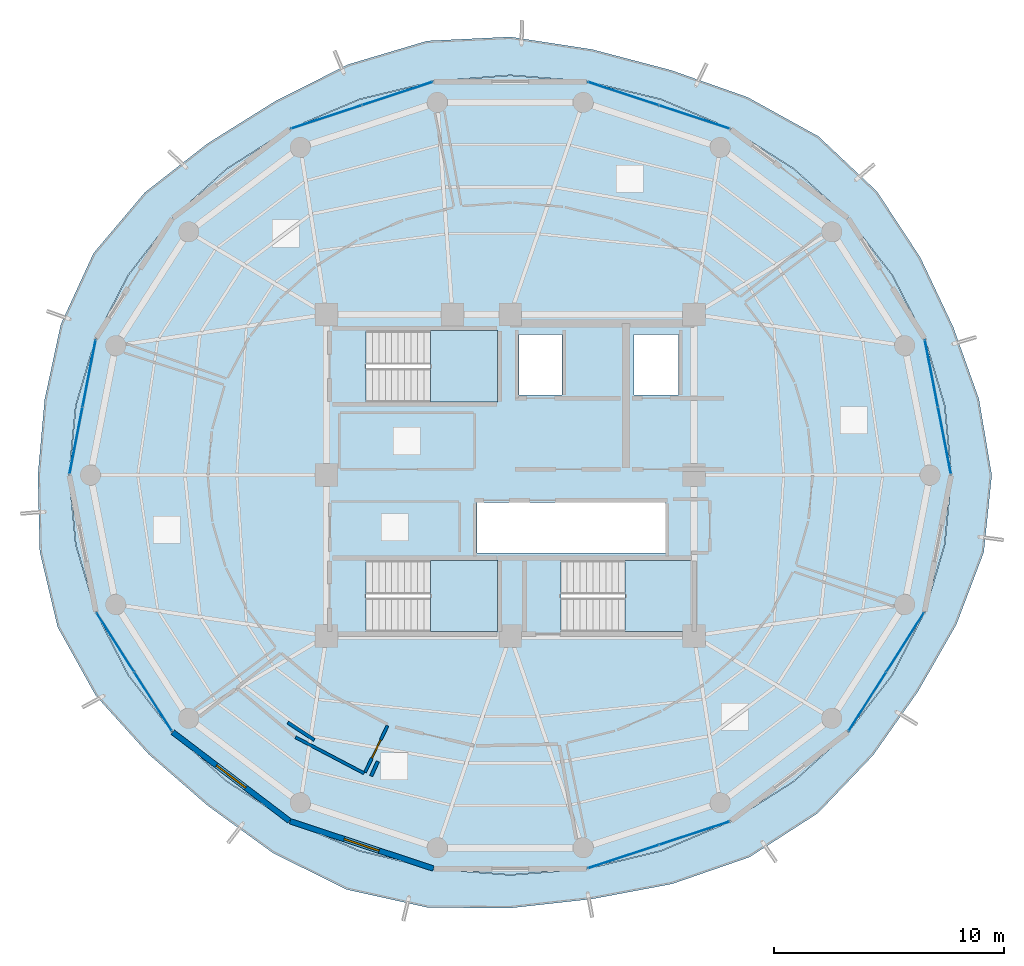
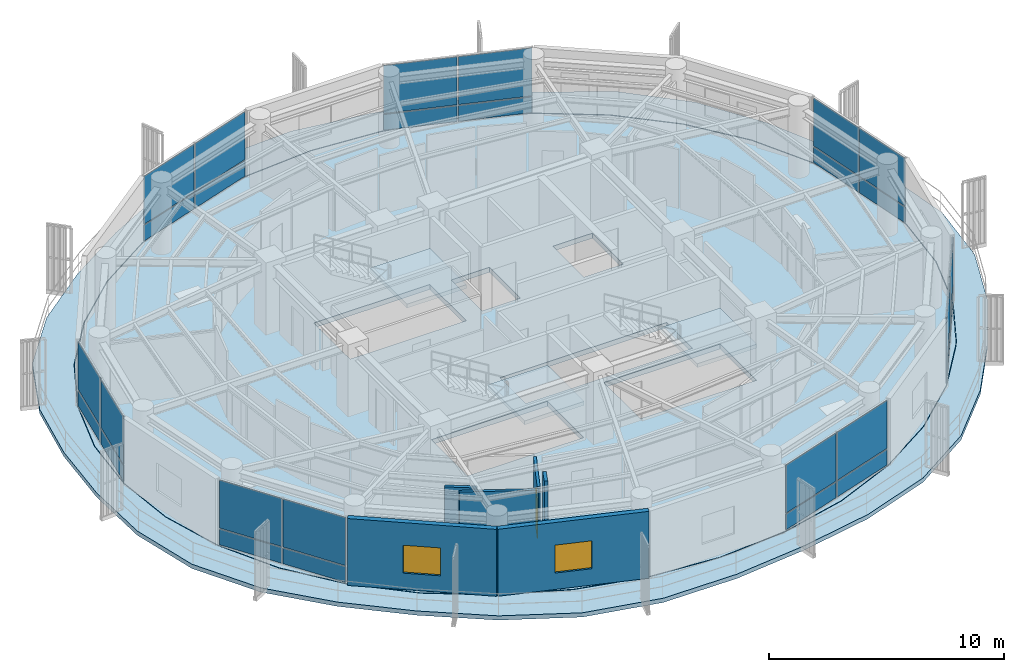
# One storey, part 15 of 23: 28 plates, 6 walls, 5 slabs, 2 windows, 1 door, 3 openings, 10 elements without a shape of their own.
"""IFC4 building model written with IfcOpenShell, lengths in metres."""

from ifc_helpers import new_model, si_unit, direction, frame, frame_2d, origin, origin_2d, place, context, subcontext, project, spatial, polyline, rectangle, outline, extrude, source, transform, mapped, material, layer, layer_set, type_object, element, fill, aggregate, save


model = new_model("IFC4")

# Units and contexts
model_context = context("Model", 3, precision=1e-05, world=origin(), true_north=direction((0.0, 1.0)))
body_context = subcontext(model_context, "Body", "Model", "MODEL_VIEW")
ifc_project = project(units=[si_unit("LENGTHUNIT", "METRE"), si_unit("AREAUNIT", "SQUARE_METRE"), si_unit("VOLUMEUNIT", "CUBIC_METRE"), si_unit("PLANEANGLEUNIT", "RADIAN"), si_unit("MASSUNIT", "GRAM", prefix="KILO")], contexts=[model_context])

# Site, building, storey
site_placement = place(None, origin())
site = spatial("IfcSite", under=ifc_project, at=site_placement, CompositionType="ELEMENT")
building_placement = place(site_placement, origin())
building = spatial("IfcBuilding", under=site, at=building_placement, Name="Kelanora Arch Commons", CompositionType="ELEMENT")
storey_placement = place(building_placement, frame((0.0, 0.0, 286.199951171875)))
storey = spatial("IfcBuildingStorey", under=building, at=storey_placement, Name="L73", CompositionType="ELEMENT", Elevation=286.199951171875)

# Stair, slab
ifc_material_1 = material(Name="Concrete C40/50", Category="concrete")
stair_type = type_object("IfcStairType", Name="STR-DL-375", PredefinedType="HALF_TURN_STAIR", material=ifc_material_1)
stair_1_placement = place(storey_placement, origin())
stair_1 = element("IfcStair", 1, at=stair_1_placement, inside=storey, type_object=stair_type, Name="L73 ST-T1", PredefinedType="HALF_TURN_STAIR")
ifc_layer_1 = layer(ifc_material_1, 0.199951171875)
ifc_layer_set_1 = layer_set([ifc_layer_1], Name="Concrete C40/50")
slab_type_1 = type_object("IfcSlabType", Name="SLB-STAIR-LND", PredefinedType="LANDING", material=ifc_layer_set_1)
slab_1_placement = place(storey_placement, frame((0.0, 0.0, 1.675048828125)))
slab_1 = element("IfcSlab", 2, at=slab_1_placement, type_object=slab_type_1, Name="ST-T1 landing 1", PredefinedType="LANDING", context=body_context, shape_type="SweptSolid", body=[
    extrude(outline(polyline([(70.52001953125, 61.179931640625), (73.43994140625, 61.179931640625), (73.43994140625, 64.2900390625), (70.52001953125, 64.2900390625), (70.52001953125, 61.179931640625)])), origin(), (0.0, 0.0, 1.0), 0.199951171875),
])
aggregate(stair_1, [slab_1])

stair_2_placement = place(storey_placement, origin())
stair_2 = element("IfcStair", 3, at=stair_2_placement, inside=storey, type_object=stair_type, Name="L73 ST-T2", PredefinedType="HALF_TURN_STAIR")
slab_2_placement = place(storey_placement, frame((0.0, 0.0, 1.675048828125)))
slab_2 = element("IfcSlab", 4, at=slab_2_placement, type_object=slab_type_1, Name="ST-T2 landing 1", PredefinedType="LANDING", context=body_context, shape_type="SweptSolid", body=[
    extrude(outline(polyline([(79.0, 51.179931640625), (81.919921875, 51.179931640625), (81.919921875, 54.2900390625), (79.0, 54.2900390625), (79.0, 51.179931640625)])), origin(), (0.0, 0.0, 1.0), 0.199951171875),
])
aggregate(stair_2, [slab_2])

stair_3_placement = place(storey_placement, origin())
stair_3 = element("IfcStair", 5, at=stair_3_placement, inside=storey, type_object=stair_type, Name="L73 ST-T3", PredefinedType="HALF_TURN_STAIR")
slab_3_placement = place(storey_placement, frame((0.0, 0.0, 1.675048828125)))
slab_3 = element("IfcSlab", 6, at=slab_3_placement, type_object=slab_type_1, Name="ST-T3 landing 1", PredefinedType="LANDING", context=body_context, shape_type="SweptSolid", body=[
    extrude(outline(polyline([(70.52001953125, 51.179931640625), (73.43994140625, 51.179931640625), (73.43994140625, 54.2900390625), (70.52001953125, 54.2900390625), (70.52001953125, 51.179931640625)])), origin(), (0.0, 0.0, 1.0), 0.199951171875),
])
aggregate(stair_3, [slab_3])

# Slabs
ifc_layer_2 = layer(ifc_material_1, 0.260009765625)
ifc_layer_set_2 = layer_set([ifc_layer_2], Name="Concrete C40/50")
slab_type_2 = type_object("IfcSlabType", Name="SLB-TWR-TYP", PredefinedType="FLOOR", material=ifc_layer_set_2)
slab_4_placement = place(storey_placement, frame((0.0, 0.0, -0.260009765625)))
element("IfcSlab", 7, at=slab_4_placement, inside=storey, type_object=slab_type_2, Name="Tower Floor Slab L73", PredefinedType="FLOOR", context=body_context, shape_type="SweptSolid", body=[
    extrude(outline(polyline([(93.199951171875, 58.0), (92.908203125, 61.021484375), (92.0419921875, 63.951171875), (90.627685546875, 66.699951171875), (88.7080078125, 69.1845703125), (86.341552734375, 71.3291015625), (83.60009765625, 73.06884765625), (80.56689453125, 74.3505859375), (77.333984375, 75.1357421875), (74.0, 75.39990234375), (70.666015625, 75.1357421875), (67.43310546875, 74.3505859375), (64.39990234375, 73.06884765625), (61.658447265625, 71.3291015625), (59.2919921875, 69.1845703125), (57.372314453125, 66.699951171875), (55.9580078125, 63.951171875), (55.091796875, 61.021484375), (54.800048828125, 58.0), (55.091796875, 54.978515625), (55.9580078125, 52.048828125), (57.372314453125, 49.300048828125), (59.2919921875, 46.8154296875), (61.658447265625, 44.6708984375), (64.39990234375, 42.93115234375), (67.43310546875, 41.6494140625), (70.666015625, 40.8642578125), (74.0, 40.60009765625), (77.333984375, 40.8642578125), (80.56689453125, 41.6494140625), (83.60009765625, 42.93115234375), (86.341552734375, 44.6708984375), (88.7080078125, 46.8154296875), (90.627685546875, 49.300048828125), (92.0419921875, 52.048828125), (92.908203125, 54.978515625), (93.199951171875, 58.0)]), holes=[polyline([(73.431884765625, 51.18798828125), (67.72802734375, 51.18798828125), (67.72802734375, 54.281982421875), (73.431884765625, 54.281982421875), (73.431884765625, 51.18798828125)]), polyline([(76.2080078125, 51.18798828125), (76.2080078125, 54.281982421875), (81.912109375, 54.281982421875), (81.912109375, 51.18798828125), (76.2080078125, 51.18798828125)]), polyline([(72.550048828125, 54.60009765625), (72.550048828125, 56.800048828125), (80.75, 56.800048828125), (80.75, 54.60009765625), (72.550048828125, 54.60009765625)]), polyline([(73.431884765625, 61.18798828125), (67.72802734375, 61.18798828125), (67.72802734375, 64.281982421875), (73.431884765625, 64.281982421875), (73.431884765625, 61.18798828125)]), polyline([(74.3798828125, 61.47998046875), (74.3798828125, 64.1201171875), (76.260009765625, 64.1201171875), (76.260009765625, 61.47998046875), (74.3798828125, 61.47998046875)]), polyline([(79.3798828125, 61.47998046875), (79.3798828125, 64.1201171875), (81.320068359375, 64.1201171875), (81.320068359375, 61.47998046875), (79.3798828125, 61.47998046875)])]), origin(), (0.0, 0.0, 1.0), 0.260009765625),
])
ifc_layer_3 = layer(ifc_material_1, 0.219970703125)
ifc_layer_set_3 = layer_set([ifc_layer_3], Name="Concrete C40/50")
slab_type_3 = type_object("IfcSlabType", Name="SLB-WAVE-BAL", PredefinedType="FLOOR", material=ifc_layer_set_3)
slab_5_placement = place(storey_placement, frame((0.0, 0.0, -0.219970703125)))
element("IfcSlab", 8, at=slab_5_placement, inside=storey, type_object=slab_type_3, Name="Sinusoidal Wave Balcony Slab L73", PredefinedType="FLOOR", context=body_context, shape_type="SweptSolid", body=[
    extrude(outline(polyline([(94.9658203125, 58.0), (94.406982421875, 61.31298828125), (93.28564453125, 64.45068359375), (91.85205078125, 67.47998046875), (89.966064453125, 70.349365234375), (87.420654296875, 72.748291015625), (84.326416015625, 74.45703125), (80.98974609375, 75.63330078125), (77.557861328125, 76.53662109375), (74.0, 77.081787109375), (70.383056640625, 76.906494140625), (66.929931640625, 75.87646484375), (63.76611328125, 74.280517578125), (60.81689453125, 72.43603515625), (58.084716796875, 70.30224609375), (55.85693359375, 67.665283203125), (54.43115234375, 64.564208984375), (53.726806640625, 61.287109375), (53.4326171875, 58.0), (53.5146484375, 54.671630859375), (54.2939453125, 51.380615234375), (55.9541015625, 48.396484375), (58.2509765625, 45.8515625), (60.841064453125, 43.595703125), (63.673583984375, 41.54296875), (66.874755859375, 39.956298828125), (70.3955078125, 39.17138671875), (74.0, 39.148193359375), (77.54541015625, 39.541015625), (81.044921875, 40.199462890625), (84.418701171875, 41.366455078125), (87.396484375, 43.283447265625), (89.7998046875, 45.804443359375), (91.7548828125, 48.581787109375), (93.4228515625, 51.494384765625), (94.619140625, 54.645751953125), (94.9658203125, 58.0)]), holes=[polyline([(92.927978515625, 54.97509765625), (92.060791015625, 52.0419921875), (90.64501953125, 49.2900390625), (88.723388671875, 46.802490234375), (86.3544921875, 44.655517578125), (83.610107421875, 42.913818359375), (80.573486328125, 41.630615234375), (77.33740234375, 40.844482421875), (74.0, 40.580078125), (70.66259765625, 40.844482421875), (67.426513671875, 41.630615234375), (64.389892578125, 42.913818359375), (61.6455078125, 44.655517578125), (59.276611328125, 46.802490234375), (57.35498046875, 49.2900390625), (55.939208984375, 52.0419921875), (55.072021484375, 54.97509765625), (54.780029296875, 58.0), (55.072021484375, 61.02490234375), (55.939208984375, 63.9580078125), (57.35498046875, 66.7099609375), (59.276611328125, 69.197509765625), (61.6455078125, 71.344482421875), (64.389892578125, 73.086181640625), (67.426513671875, 74.369384765625), (70.66259765625, 75.155517578125), (74.0, 75.419921875), (77.33740234375, 75.155517578125), (80.573486328125, 74.369384765625), (83.610107421875, 73.086181640625), (86.3544921875, 71.344482421875), (88.723388671875, 69.197509765625), (90.64501953125, 66.7099609375), (92.060791015625, 63.9580078125), (92.927978515625, 61.02490234375), (93.219970703125, 58.0), (92.927978515625, 54.97509765625)])]), origin(), (0.0, 0.0, 1.0), 0.219970703125),
])

# Curtain wall, plates
ifc_material_2 = material(Name="Terracotta ceramic-fritted low-E glass and aluminium", Category="masonry")
ifc_layer_4 = layer(ifc_material_2, 0.18994140625)
ifc_layer_set_4 = layer_set([ifc_layer_4], Name="Terracotta ceramic-fritted low-E glass and aluminium")
curtain_wall_type = type_object("IfcCurtainWallType", Name="CW-SYS-03", PredefinedType="NOTDEFINED", material=ifc_layer_set_4)
curtain_wall_1_placement = place(storey_placement, origin())
curtain_wall_1 = element("IfcCurtainWall", 9, at=curtain_wall_1_placement, inside=storey, type_object=curtain_wall_type, Name="Unitised Curtain Wall L73-B00", PredefinedType="NOTDEFINED")
ifc_material_3 = material(Name="Terracotta ceramic-fritted double glazing", Category="masonry")
ifc_layer_5 = layer(ifc_material_3, 0.028076171875)
ifc_layer_set_5 = layer_set([ifc_layer_5], Name="Terracotta ceramic-fritted double glazing")
plate_type = type_object("IfcPlateType", Name="CWP-FRIT", PredefinedType="CURTAIN_PANEL", material=ifc_layer_set_5)
shared_shape_1 = source(origin(), body_context, "Body", "SweptSolid", [
    extrude(rectangle(XDim=2.926513671875, YDim=0.028076171875, at=origin_2d()), origin(), (0.0, 0.0, 1.0), 0.81005859375),
])
plate_1_placement = place(storey_placement, frame((92.90625, 59.509765625, 0.06005859375), z_axis=(0.0, 0.0, 1.0), x_axis=(-0.190971701941, 0.981595542501, 0.0)))
plate_1 = element("IfcPlate", 10, at=plate_1_placement, type_object=plate_type, Name="CW-03 panel 1.1", PredefinedType="CURTAIN_PANEL", context=body_context, shape_type="MappedRepresentation", body=[
    mapped(shared_shape_1, transform((0.0, 0.0, 0.0), scale=1.0)),
])
plate_2_placement = place(storey_placement, frame((92.3359375, 62.44140625, 0.06005859375), z_axis=(0.0, 0.0, 1.0), x_axis=(-0.190971701941, 0.981595542501, 0.0)))
plate_2 = element("IfcPlate", 11, at=plate_2_placement, type_object=plate_type, Name="CW-03 panel 2.1", PredefinedType="CURTAIN_PANEL", context=body_context, shape_type="MappedRepresentation", body=[
    mapped(shared_shape_1, transform((0.0, 0.0, 0.0), scale=1.0)),
])

curtain_wall_2_placement = place(storey_placement, origin())
curtain_wall_2 = element("IfcCurtainWall", 12, at=curtain_wall_2_placement, inside=storey, type_object=curtain_wall_type, Name="Unitised Curtain Wall L73-B08", PredefinedType="NOTDEFINED")
plate_3_placement = place(storey_placement, frame((55.6640625, 62.44140625, 0.06005859375), z_axis=(0.0, 0.0, 1.0), x_axis=(-0.190971701941, -0.981595542501, 0.0)))
plate_3 = element("IfcPlate", 13, at=plate_3_placement, type_object=plate_type, Name="CW-03 panel 1.1", PredefinedType="CURTAIN_PANEL", context=body_context, shape_type="MappedRepresentation", body=[
    mapped(shared_shape_1, transform((0.0, 0.0, 0.0), scale=1.0)),
])
plate_4_placement = place(storey_placement, frame((55.09375, 59.509765625, 0.06005859375), z_axis=(0.0, 0.0, 1.0), x_axis=(-0.190971701941, -0.981595542501, 0.0)))
plate_4 = element("IfcPlate", 14, at=plate_4_placement, type_object=plate_type, Name="CW-03 panel 2.1", PredefinedType="CURTAIN_PANEL", context=body_context, shape_type="MappedRepresentation", body=[
    mapped(shared_shape_1, transform((0.0, 0.0, 0.0), scale=1.0)),
])

# Plate
shared_shape_2 = source(origin(), body_context, "Body", "SweptSolid", [
    extrude(rectangle(XDim=2.926513671875, YDim=0.028076171875, at=origin_2d()), origin(), (0.0, 0.0, 1.0), 2.485107421875),
])
plate_5_placement = place(storey_placement, frame((92.90625, 59.509765625, 0.93017578125), z_axis=(0.0, 0.0, 1.0), x_axis=(-0.190971701941, 0.981595542501, 0.0)))
plate_5 = element("IfcPlate", 15, at=plate_5_placement, type_object=plate_type, Name="CW-03 panel 1.2", PredefinedType="CURTAIN_PANEL", context=body_context, shape_type="MappedRepresentation", body=[
    mapped(shared_shape_2, transform((0.0, 0.0, 0.0), scale=1.0)),
])

plate_6_placement = place(storey_placement, frame((92.3359375, 62.44140625, 0.93017578125), z_axis=(0.0, 0.0, 1.0), x_axis=(-0.190971701941, 0.981595542501, 0.0)))
plate_6 = element("IfcPlate", 16, at=plate_6_placement, type_object=plate_type, Name="CW-03 panel 2.2", PredefinedType="CURTAIN_PANEL", context=body_context, shape_type="MappedRepresentation", body=[
    mapped(shared_shape_2, transform((0.0, 0.0, 0.0), scale=1.0)),
])

aggregate(curtain_wall_1, [plate_1, plate_5, plate_2, plate_6])

plate_7_placement = place(storey_placement, frame((55.6640625, 62.44140625, 0.93017578125), z_axis=(0.0, 0.0, 1.0), x_axis=(-0.190971701941, -0.981595542501, 0.0)))
plate_7 = element("IfcPlate", 17, at=plate_7_placement, type_object=plate_type, Name="CW-03 panel 1.2", PredefinedType="CURTAIN_PANEL", context=body_context, shape_type="MappedRepresentation", body=[
    mapped(shared_shape_2, transform((0.0, 0.0, 0.0), scale=1.0)),
])

plate_8_placement = place(storey_placement, frame((55.09375, 59.509765625, 0.93017578125), z_axis=(0.0, 0.0, 1.0), x_axis=(-0.190971701941, -0.981595542501, 0.0)))
plate_8 = element("IfcPlate", 18, at=plate_8_placement, type_object=plate_type, Name="CW-03 panel 2.2", PredefinedType="CURTAIN_PANEL", context=body_context, shape_type="MappedRepresentation", body=[
    mapped(shared_shape_2, transform((0.0, 0.0, 0.0), scale=1.0)),
])

aggregate(curtain_wall_2, [plate_3, plate_7, plate_4, plate_8])

# Curtain wall, plates
curtain_wall_3_placement = place(storey_placement, origin())
curtain_wall_3 = element("IfcCurtainWall", 19, at=curtain_wall_3_placement, inside=storey, type_object=curtain_wall_type, Name="Unitised Curtain Wall L73-B03", PredefinedType="NOTDEFINED")
shared_shape_3 = source(origin(), body_context, "Body", "SweptSolid", [
    extrude(rectangle(XDim=3.194091796875, YDim=0.028076171875, at=origin_2d()), origin(), (0.0, 0.0, 1.0), 0.81005859375),
])
plate_9_placement = place(storey_placement, frame((82.01220703125, 73.592529296875, 0.06005859375), z_axis=(0.0, 0.0, 1.0), x_axis=(-0.949669780752, 0.313252785344, 0.0)))
plate_9 = element("IfcPlate", 20, at=plate_9_placement, type_object=plate_type, Name="CW-03 panel 1.1", PredefinedType="CURTAIN_PANEL", context=body_context, shape_type="MappedRepresentation", body=[
    mapped(shared_shape_3, transform((0.0, 0.0, 0.0), scale=1.0)),
])
plate_10_placement = place(storey_placement, frame((78.921875, 74.61181640625, 0.06005859375), z_axis=(0.0, 0.0, 1.0), x_axis=(-0.949669780752, 0.313252785344, 0.0)))
plate_10 = element("IfcPlate", 21, at=plate_10_placement, type_object=plate_type, Name="CW-03 panel 2.1", PredefinedType="CURTAIN_PANEL", context=body_context, shape_type="MappedRepresentation", body=[
    mapped(shared_shape_3, transform((0.0, 0.0, 0.0), scale=1.0)),
])

curtain_wall_4_placement = place(storey_placement, origin())
curtain_wall_4 = element("IfcCurtainWall", 22, at=curtain_wall_4_placement, inside=storey, type_object=curtain_wall_type, Name="Unitised Curtain Wall L73-B05", PredefinedType="NOTDEFINED")
plate_11_placement = place(storey_placement, frame((69.078125, 74.61181640625, 0.06005859375), z_axis=(0.0, 0.0, 1.0), x_axis=(-0.949669780752, -0.313252785344, 0.0)))
plate_11 = element("IfcPlate", 23, at=plate_11_placement, type_object=plate_type, Name="CW-03 panel 1.1", PredefinedType="CURTAIN_PANEL", context=body_context, shape_type="MappedRepresentation", body=[
    mapped(shared_shape_3, transform((0.0, 0.0, 0.0), scale=1.0)),
])
plate_12_placement = place(storey_placement, frame((65.98779296875, 73.592529296875, 0.06005859375), z_axis=(0.0, 0.0, 1.0), x_axis=(-0.949669780752, -0.313252785344, 0.0)))
plate_12 = element("IfcPlate", 24, at=plate_12_placement, type_object=plate_type, Name="CW-03 panel 2.1", PredefinedType="CURTAIN_PANEL", context=body_context, shape_type="MappedRepresentation", body=[
    mapped(shared_shape_3, transform((0.0, 0.0, 0.0), scale=1.0)),
])

curtain_wall_5_placement = place(storey_placement, origin())
curtain_wall_5 = element("IfcCurtainWall", 25, at=curtain_wall_5_placement, inside=storey, type_object=curtain_wall_type, Name="Unitised Curtain Wall L73-B14", PredefinedType="NOTDEFINED")
plate_13_placement = place(storey_placement, frame((78.921875, 41.38818359375, 0.06005859375), z_axis=(0.0, 0.0, 1.0), x_axis=(0.949669780752, 0.313252785344, 0.0)))
plate_13 = element("IfcPlate", 26, at=plate_13_placement, type_object=plate_type, Name="CW-03 panel 1.1", PredefinedType="CURTAIN_PANEL", context=body_context, shape_type="MappedRepresentation", body=[
    mapped(shared_shape_3, transform((0.0, 0.0, 0.0), scale=1.0)),
])
plate_14_placement = place(storey_placement, frame((82.01220703125, 42.407470703125, 0.06005859375), z_axis=(0.0, 0.0, 1.0), x_axis=(0.949669780752, 0.313252785344, 0.0)))
plate_14 = element("IfcPlate", 27, at=plate_14_placement, type_object=plate_type, Name="CW-03 panel 2.1", PredefinedType="CURTAIN_PANEL", context=body_context, shape_type="MappedRepresentation", body=[
    mapped(shared_shape_3, transform((0.0, 0.0, 0.0), scale=1.0)),
])

# Plate
shared_shape_4 = source(origin(), body_context, "Body", "SweptSolid", [
    extrude(rectangle(XDim=3.194091796875, YDim=0.028076171875, at=origin_2d()), origin(), (0.0, 0.0, 1.0), 2.485107421875),
])
plate_15_placement = place(storey_placement, frame((82.01220703125, 73.592529296875, 0.93017578125), z_axis=(0.0, 0.0, 1.0), x_axis=(-0.949669780752, 0.313252785344, 0.0)))
plate_15 = element("IfcPlate", 28, at=plate_15_placement, type_object=plate_type, Name="CW-03 panel 1.2", PredefinedType="CURTAIN_PANEL", context=body_context, shape_type="MappedRepresentation", body=[
    mapped(shared_shape_4, transform((0.0, 0.0, 0.0), scale=1.0)),
])

plate_16_placement = place(storey_placement, frame((78.921875, 74.61181640625, 0.93017578125), z_axis=(0.0, 0.0, 1.0), x_axis=(-0.949669780752, 0.313252785344, 0.0)))
plate_16 = element("IfcPlate", 29, at=plate_16_placement, type_object=plate_type, Name="CW-03 panel 2.2", PredefinedType="CURTAIN_PANEL", context=body_context, shape_type="MappedRepresentation", body=[
    mapped(shared_shape_4, transform((0.0, 0.0, 0.0), scale=1.0)),
])

aggregate(curtain_wall_3, [plate_9, plate_15, plate_10, plate_16])

plate_17_placement = place(storey_placement, frame((69.078125, 74.61181640625, 0.93017578125), z_axis=(0.0, 0.0, 1.0), x_axis=(-0.949669780752, -0.313252785344, 0.0)))
plate_17 = element("IfcPlate", 30, at=plate_17_placement, type_object=plate_type, Name="CW-03 panel 1.2", PredefinedType="CURTAIN_PANEL", context=body_context, shape_type="MappedRepresentation", body=[
    mapped(shared_shape_4, transform((0.0, 0.0, 0.0), scale=1.0)),
])

plate_18_placement = place(storey_placement, frame((65.98779296875, 73.592529296875, 0.93017578125), z_axis=(0.0, 0.0, 1.0), x_axis=(-0.949669780752, -0.313252785344, 0.0)))
plate_18 = element("IfcPlate", 31, at=plate_18_placement, type_object=plate_type, Name="CW-03 panel 2.2", PredefinedType="CURTAIN_PANEL", context=body_context, shape_type="MappedRepresentation", body=[
    mapped(shared_shape_4, transform((0.0, 0.0, 0.0), scale=1.0)),
])

aggregate(curtain_wall_4, [plate_11, plate_17, plate_12, plate_18])

plate_19_placement = place(storey_placement, frame((78.921875, 41.38818359375, 0.93017578125), z_axis=(0.0, 0.0, 1.0), x_axis=(0.949669780752, 0.313252785344, 0.0)))
plate_19 = element("IfcPlate", 32, at=plate_19_placement, type_object=plate_type, Name="CW-03 panel 1.2", PredefinedType="CURTAIN_PANEL", context=body_context, shape_type="MappedRepresentation", body=[
    mapped(shared_shape_4, transform((0.0, 0.0, 0.0), scale=1.0)),
])

plate_20_placement = place(storey_placement, frame((82.01220703125, 42.407470703125, 0.93017578125), z_axis=(0.0, 0.0, 1.0), x_axis=(0.949669780752, 0.313252785344, 0.0)))
plate_20 = element("IfcPlate", 33, at=plate_20_placement, type_object=plate_type, Name="CW-03 panel 2.2", PredefinedType="CURTAIN_PANEL", context=body_context, shape_type="MappedRepresentation", body=[
    mapped(shared_shape_4, transform((0.0, 0.0, 0.0), scale=1.0)),
])

aggregate(curtain_wall_5, [plate_13, plate_19, plate_14, plate_20])

# Curtain wall, plates
curtain_wall_6_placement = place(storey_placement, origin())
curtain_wall_6 = element("IfcCurtainWall", 34, at=curtain_wall_6_placement, inside=storey, type_object=curtain_wall_type, Name="Unitised Curtain Wall L73-B10", PredefinedType="NOTDEFINED")
shared_shape_5 = source(origin(), body_context, "Body", "SweptSolid", [
    extrude(rectangle(XDim=2.99755859375, YDim=0.028076171875, at=origin_2d()), origin(), (0.0, 0.0, 1.0), 0.81005859375),
])
plate_21_placement = place(storey_placement, frame((56.803466796875, 50.721435546875, 0.06005859375), z_axis=(0.0, 0.0, 1.0), x_axis=(0.537299814397, -0.843391314545, 0.0)))
plate_21 = element("IfcPlate", 35, at=plate_21_placement, type_object=plate_type, Name="CW-03 panel 1.1", PredefinedType="CURTAIN_PANEL", context=body_context, shape_type="MappedRepresentation", body=[
    mapped(shared_shape_5, transform((0.0, 0.0, 0.0), scale=1.0)),
])
plate_22_placement = place(storey_placement, frame((58.4462890625, 48.142822265625, 0.06005859375), z_axis=(0.0, 0.0, 1.0), x_axis=(0.537299814397, -0.843391314545, 0.0)))
plate_22 = element("IfcPlate", 36, at=plate_22_placement, type_object=plate_type, Name="CW-03 panel 2.1", PredefinedType="CURTAIN_PANEL", context=body_context, shape_type="MappedRepresentation", body=[
    mapped(shared_shape_5, transform((0.0, 0.0, 0.0), scale=1.0)),
])

curtain_wall_7_placement = place(storey_placement, origin())
curtain_wall_7 = element("IfcCurtainWall", 37, at=curtain_wall_7_placement, inside=storey, type_object=curtain_wall_type, Name="Unitised Curtain Wall L73-B16", PredefinedType="NOTDEFINED")
plate_23_placement = place(storey_placement, frame((89.5537109375, 48.142822265625, 0.06005859375), z_axis=(0.0, 0.0, 1.0), x_axis=(0.537299814397, 0.843391314545, 0.0)))
plate_23 = element("IfcPlate", 38, at=plate_23_placement, type_object=plate_type, Name="CW-03 panel 1.1", PredefinedType="CURTAIN_PANEL", context=body_context, shape_type="MappedRepresentation", body=[
    mapped(shared_shape_5, transform((0.0, 0.0, 0.0), scale=1.0)),
])
plate_24_placement = place(storey_placement, frame((91.196533203125, 50.721435546875, 0.06005859375), z_axis=(0.0, 0.0, 1.0), x_axis=(0.537299814397, 0.843391314545, 0.0)))
plate_24 = element("IfcPlate", 39, at=plate_24_placement, type_object=plate_type, Name="CW-03 panel 2.1", PredefinedType="CURTAIN_PANEL", context=body_context, shape_type="MappedRepresentation", body=[
    mapped(shared_shape_5, transform((0.0, 0.0, 0.0), scale=1.0)),
])

# Plate
shared_shape_6 = source(origin(), body_context, "Body", "SweptSolid", [
    extrude(rectangle(XDim=2.99755859375, YDim=0.028076171875, at=origin_2d()), origin(), (0.0, 0.0, 1.0), 2.485107421875),
])
plate_25_placement = place(storey_placement, frame((56.803466796875, 50.721435546875, 0.93017578125), z_axis=(0.0, 0.0, 1.0), x_axis=(0.537299814397, -0.843391314545, 0.0)))
plate_25 = element("IfcPlate", 40, at=plate_25_placement, type_object=plate_type, Name="CW-03 panel 1.2", PredefinedType="CURTAIN_PANEL", context=body_context, shape_type="MappedRepresentation", body=[
    mapped(shared_shape_6, transform((0.0, 0.0, 0.0), scale=1.0)),
])

plate_26_placement = place(storey_placement, frame((58.4462890625, 48.142822265625, 0.93017578125), z_axis=(0.0, 0.0, 1.0), x_axis=(0.537299814397, -0.843391314545, 0.0)))
plate_26 = element("IfcPlate", 41, at=plate_26_placement, type_object=plate_type, Name="CW-03 panel 2.2", PredefinedType="CURTAIN_PANEL", context=body_context, shape_type="MappedRepresentation", body=[
    mapped(shared_shape_6, transform((0.0, 0.0, 0.0), scale=1.0)),
])

aggregate(curtain_wall_6, [plate_21, plate_25, plate_22, plate_26])

plate_27_placement = place(storey_placement, frame((89.5537109375, 48.142822265625, 0.93017578125), z_axis=(0.0, 0.0, 1.0), x_axis=(0.537299814397, 0.843391314545, 0.0)))
plate_27 = element("IfcPlate", 42, at=plate_27_placement, type_object=plate_type, Name="CW-03 panel 1.2", PredefinedType="CURTAIN_PANEL", context=body_context, shape_type="MappedRepresentation", body=[
    mapped(shared_shape_6, transform((0.0, 0.0, 0.0), scale=1.0)),
])

plate_28_placement = place(storey_placement, frame((91.196533203125, 50.721435546875, 0.93017578125), z_axis=(0.0, 0.0, 1.0), x_axis=(0.537299814397, 0.843391314545, 0.0)))
plate_28 = element("IfcPlate", 43, at=plate_28_placement, type_object=plate_type, Name="CW-03 panel 2.2", PredefinedType="CURTAIN_PANEL", context=body_context, shape_type="MappedRepresentation", body=[
    mapped(shared_shape_6, transform((0.0, 0.0, 0.0), scale=1.0)),
])

aggregate(curtain_wall_7, [plate_23, plate_27, plate_24, plate_28])

# Walls
ifc_material_4 = material(Name="Autoclaved aerated concrete blockwork with fire plaster", Category="masonry")
ifc_layer_6 = layer(ifc_material_4, 0.14990234375)
ifc_layer_set_6 = layer_set([ifc_layer_6], Name="Autoclaved aerated concrete blockwork with fire plaster")
wall_type_1 = type_object("IfcWallType", Name="W-COMP-150", PredefinedType="PARTITIONING", material=ifc_layer_set_6)
wall_1_placement = place(storey_placement, frame((64.31396484375, 47.227783203125, 0.0), z_axis=(0.0, 0.0, 1.0), x_axis=(0.836108744157, -0.54856373189, 0.0)))
element("IfcWall", 44, at=wall_1_placement, inside=storey, type_object=wall_type_1, Name="Co-Living Studio L73-03 Enclosure Partition 7", PredefinedType="PARTITIONING", context=body_context, shape_type="SweptSolid", body=[
    extrude(rectangle(XDim=1.380615234375, YDim=0.14990234375, at=frame_2d((0.6904296875, 0.0))), origin(), (0.0, 0.0, 1.0), 3.074951171875),
])
wall_2_placement = place(storey_placement, frame((67.942626953125, 44.894287109375, 0.0), z_axis=(0.0, 0.0, 1.0), x_axis=(0.415116627058, 0.909768204511, 0.0)))
element("IfcWall", 45, at=wall_2_placement, inside=storey, type_object=wall_type_1, Name="Co-Living Studio L73-03 Enclosure Partition 8", PredefinedType="PARTITIONING", context=body_context, shape_type="SweptSolid", body=[
    extrude(rectangle(XDim=0.699951171875, YDim=0.14990234375, at=frame_2d((0.35009765625, 0.0))), origin(), (0.0, 0.0, 1.0), 3.47998046875),
])

# Wall, opening, window
ifc_material_5 = material(Name="Precast concrete C40/50 upper-zone terracotta rainscreen", Category="masonry")
ifc_layer_7 = layer(ifc_material_5, 0.239990234375)
ifc_layer_set_7 = layer_set([ifc_layer_7], Name="Precast concrete C40/50 upper-zone terracotta rainscreen")
wall_type_2 = type_object("IfcWallType", Name="W-EXT-TC2", PredefinedType="SOLIDWALL", material=ifc_layer_set_7)
wall_3_placement = place(storey_placement, frame((59.3037109375, 46.806396484375, 0.0), z_axis=(0.0, 0.0, 1.0), x_axis=(0.796010444211, -0.605282886514, 0.0)))
wall_3 = element("IfcWall", 46, at=wall_3_placement, inside=storey, type_object=wall_type_2, Name="Terracotta Exterior Wall L73-B11", PredefinedType="SOLIDWALL", context=body_context, shape_type="SweptSolid", body=[
    extrude(rectangle(XDim=6.387451171875, YDim=0.239990234375, at=frame_2d((3.19384765625, 0.0))), origin(), (0.0, 0.0, 1.0), 3.47509765625),
])
opening_1_placement = place(wall_3_placement, frame((2.39404296875, 0.0, 0.85009765625)))
opening_1 = element("IfcOpeningElement", 47, at=opening_1_placement, cuts=wall_3, Name="Opening WN-01", PredefinedType="OPENING", context=body_context, shape_type="SweptSolid", body=[
    extrude(rectangle(XDim=1.60009765625, YDim=1.449951171875, at=frame_2d((0.800048828125, 0.72509765625))), frame((0.0, 0.1298828125, 0.0), z_axis=(0.0, -1.0, 0.0), x_axis=(1.0, 0.0, 0.0)), (0.0, 0.0, 1.0), 0.260009765625),
])
ifc_material_6 = material(Name="Terracotta-anodised aluminium frame with operable low-E glazing", Category="masonry")
window_type = type_object("IfcWindowType", Name="WIN-CL-18", PartitioningType="DOUBLE_PANEL_VERTICAL", PredefinedType="WINDOW", material=ifc_material_6)
window_1_placement = place(opening_1_placement, origin())
window_1 = element("IfcWindow", 48, at=window_1_placement, inside=storey, type_object=window_type, Name="Co-Living Operable Window L73-B11", OverallHeight=1.449951171875, OverallWidth=1.60009765625, PartitioningType="SINGLE_PANEL", PredefinedType="WINDOW", context=body_context, shape_type="SweptSolid", body=[
    extrude(rectangle(XDim=1.60009765625, YDim=1.449951171875, at=frame_2d((0.800048828125, 0.72509765625))), frame((0.0, 0.030029296875, 0.0), z_axis=(0.0, -1.0, 0.0), x_axis=(1.0, 0.0, 0.0)), (0.0, 0.0, 1.0), 0.06005859375),
])
fill(opening_1, window_1)

wall_4_placement = place(storey_placement, frame((64.414306640625, 42.926513671875, 0.0), z_axis=(0.0, 0.0, 1.0), x_axis=(0.949663708393, -0.313271193954, 0.0)))
wall_4 = element("IfcWall", 49, at=wall_4_placement, inside=storey, type_object=wall_type_2, Name="Terracotta Exterior Wall L73-B12", PredefinedType="SOLIDWALL", context=body_context, shape_type="SweptSolid", body=[
    extrude(rectangle(XDim=6.568115234375, YDim=0.239990234375, at=frame_2d((3.2841796875, 0.0))), origin(), (0.0, 0.0, 1.0), 3.47509765625),
])
opening_2_placement = place(wall_4_placement, frame((2.48388671875, 0.0, 0.85009765625)))
opening_2 = element("IfcOpeningElement", 50, at=opening_2_placement, cuts=wall_4, Name="Opening WN-01", PredefinedType="OPENING", context=body_context, shape_type="SweptSolid", body=[
    extrude(rectangle(XDim=1.60009765625, YDim=1.449951171875, at=frame_2d((0.800048828125, 0.72509765625))), frame((0.0, 0.1298828125, 0.0), z_axis=(0.0, -1.0, 0.0), x_axis=(1.0, 0.0, 0.0)), (0.0, 0.0, 1.0), 0.260009765625),
])
window_2_placement = place(opening_2_placement, origin())
window_2 = element("IfcWindow", 51, at=window_2_placement, inside=storey, type_object=window_type, Name="Co-Living Operable Window L73-B12", OverallHeight=1.449951171875, OverallWidth=1.60009765625, PartitioningType="SINGLE_PANEL", PredefinedType="WINDOW", context=body_context, shape_type="SweptSolid", body=[
    extrude(rectangle(XDim=1.60009765625, YDim=1.449951171875, at=frame_2d((0.800048828125, 0.72509765625))), frame((0.0, 0.030029296875, 0.0), z_axis=(0.0, -1.0, 0.0), x_axis=(1.0, 0.0, 0.0)), (0.0, 0.0, 1.0), 0.06005859375),
])
fill(opening_2, window_2)

# Wall, opening, door
ifc_material_7 = material(Name="Moisture-resistant fire-rated cement-board plumbing wall")
ifc_layer_8 = layer(ifc_material_7, 0.1298828125)
ifc_layer_set_8 = layer_set([ifc_layer_8], Name="Moisture-resistant fire-rated cement-board plumbing wall")
wall_type_3 = type_object("IfcWallType", Name="W-WET-120", PredefinedType="PLUMBINGWALL", material=ifc_layer_set_8)
wall_5_placement = place(storey_placement, frame((68.656005859375, 47.0869140625, 0.0), z_axis=(0.0, 0.0, 1.0), x_axis=(-0.435107089182, -0.900378709735, 0.0)))
wall_5 = element("IfcWall", 52, at=wall_5_placement, inside=storey, type_object=wall_type_3, Name="En-Suite Shower WC L73-03 Entry Partition", PredefinedType="PLUMBINGWALL", context=body_context, shape_type="SweptSolid", body=[
    extrude(rectangle(XDim=2.25, YDim=0.1298828125, at=frame_2d((1.125, 0.0))), origin(), (0.0, 0.0, 1.0), 3.175048828125),
])
opening_3_placement = place(wall_5_placement, frame((0.695068359375, 0.0, 0.0)))
opening_3 = element("IfcOpeningElement", 53, at=opening_3_placement, cuts=wall_5, Name="Opening D-BT1", PredefinedType="OPENING", context=body_context, shape_type="SweptSolid", body=[
    extrude(rectangle(XDim=0.860107421875, YDim=2.050048828125, at=frame_2d((0.43017578125, 1.02490234375))), frame((0.0, 0.074951171875, 0.0), z_axis=(0.0, -1.0, 0.0), x_axis=(1.0, 0.0, 0.0)), (0.0, 0.0, 1.0), 0.14990234375),
])
ifc_material_8 = material(Name="Moisture-sealed fire-rated accessible bathroom door")
door_type = type_object("IfcDoorType", Name="D-BATH-85", OperationType="NOTDEFINED", PredefinedType="DOOR", material=ifc_material_8)
door_placement = place(opening_3_placement, origin())
door = element("IfcDoor", 54, at=door_placement, inside=storey, type_object=door_type, Name="En-Suite Shower WC L73-03 Door", OperationType="SINGLE_SWING_RIGHT", OverallHeight=2.050048828125, OverallWidth=0.860107421875, PredefinedType="DOOR", context=body_context, shape_type="SweptSolid", body=[
    extrude(rectangle(XDim=0.860107421875, YDim=2.050048828125, at=frame_2d((0.43017578125, 1.02490234375))), frame((0.0, 0.02490234375, 0.0), z_axis=(0.0, -1.0, 0.0), x_axis=(1.0, 0.0, 0.0)), (0.0, 0.0, 1.0), 0.050048828125),
])
fill(opening_3, door)

# Wall
wall_6_placement = place(storey_placement, frame((67.63330078125, 45.016357421875, 0.0), z_axis=(0.0, 0.0, 1.0), x_axis=(-0.885210583291, 0.465190523581, 0.0)))
element("IfcWall", 55, at=wall_6_placement, inside=storey, type_object=wall_type_3, Name="En-Suite Shower WC L73-03 Enclosure Partition 4", PredefinedType="PLUMBINGWALL", context=body_context, shape_type="SweptSolid", body=[
    extrude(rectangle(XDim=3.3671875, YDim=0.1298828125, at=frame_2d((1.68359375, 0.0))), origin(), (0.0, 0.0, 1.0), 3.074951171875),
])

save(model, "model.ifc")
